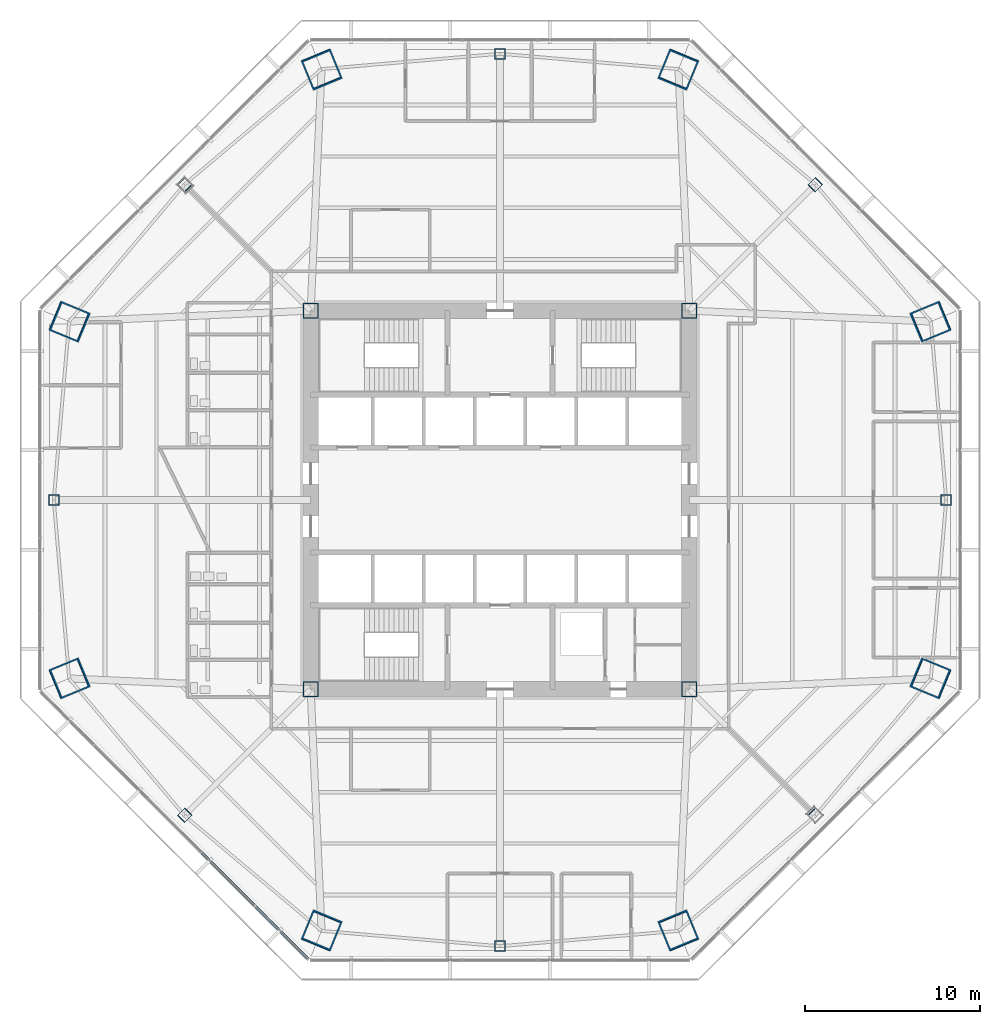
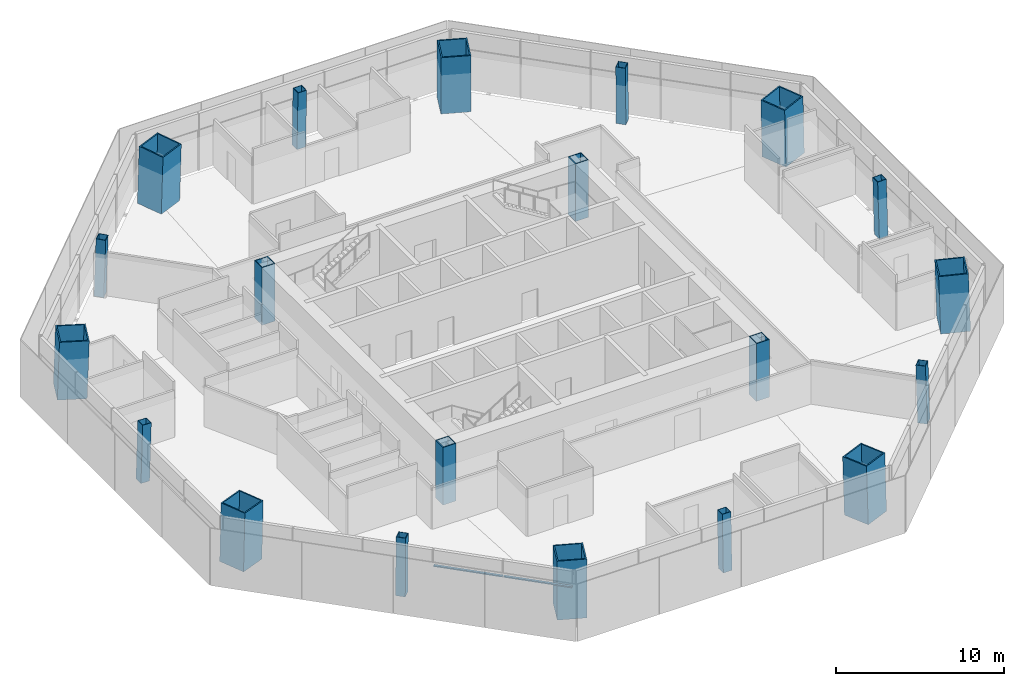
# One storey, part 1 of 15: 20 columns, 2 members, 1 element without a shape of its own.
"""IFC4 building model written with IfcOpenShell, lengths in metres."""

import ifcopenshell
import ifcopenshell.guid

model = None  # the IFC model being written
_history = None  # IfcOwnerHistory: only IFC2X3 demands one
_inside = {}  # id of a spatial element -> (the spatial element, [elements in it])
_under = {}  # id of a project, library or spatial element -> (it, [spatial elements below it])
_declared = {}  # id of a project -> (the project, [libraries it declares])
_typed = {}  # id of a type object -> (the type object, [elements of that type])
_made_of = {}  # id of a material, layer set ... -> (it, [elements and type objects made of it])


def new_model(schema):
    """Start an empty IFC model of exactly this schema.

    Asked for "IFC4X3", IfcOpenShell would pick the latest addendum, in which some entities
    have other attributes; the version numbers below select the first issue.
    IFC2X3 requires an IfcOwnerHistory on every rooted entity: one is made here for all.
    """
    global model, _history
    if schema == "IFC4X3":
        model = ifcopenshell.file(schema_version=(4, 3, 0, 0))
    else:
        model = ifcopenshell.file(schema=schema)
    _inside.clear()
    _under.clear()
    _declared.clear()
    _typed.clear()
    _made_of.clear()
    _history = None
    if model.schema == "IFC2X3":
        org = make("IfcOrganization", Name="unknown")
        user = make(
            "IfcPersonAndOrganization",
            ThePerson=make("IfcPerson", FamilyName="unknown"),
            TheOrganization=org,
        )
        app = make(
            "IfcApplication",
            ApplicationDeveloper=org,
            Version="unknown",
            ApplicationFullName="unknown",
            ApplicationIdentifier="unknown",
        )
        _history = make(
            "IfcOwnerHistory",
            OwningUser=user,
            OwningApplication=app,
            ChangeAction="ADDED",
            CreationDate=0,
        )
    return model


def make(cls, **values):
    """One entity of the class cls with the attributes given. An attribute that is None is left unset."""
    return model.create_entity(
        cls, **{name: value for name, value in values.items() if value is not None}
    )


def rooted(cls, **values):
    """An entity with a GlobalId (a new one), such as an element, a storey or a relation."""
    return make(cls, GlobalId=ifcopenshell.guid.new(), OwnerHistory=_history, **values)


def si_unit(unit_type, name, prefix=None):
    """IfcSIUnit, for example si_unit("LENGTHUNIT", "METRE", prefix="MILLI")."""
    return make("IfcSIUnit", UnitType=unit_type, Prefix=prefix, Name=name)


def assignment(units):
    """IfcUnitAssignment: the units of a project."""
    return None if units is None else make("IfcUnitAssignment", Units=units)


def point(xyz):
    """IfcCartesianPoint."""
    return None if xyz is None else make("IfcCartesianPoint", Coordinates=xyz)


def direction(xyz):
    """IfcDirection."""
    return None if xyz is None else make("IfcDirection", DirectionRatios=xyz)


def frame(location, z_axis=None, x_axis=None):
    """IfcAxis2Placement3D, a coordinate frame: its origin and axes. An axis left out is left unset."""
    return make(
        "IfcAxis2Placement3D",
        Location=point(location),
        Axis=direction(z_axis),
        RefDirection=direction(x_axis),
    )


def frame_2d(location, x_axis=None):
    """IfcAxis2Placement2D, a coordinate frame in the plane: its origin and x axis."""
    return make(
        "IfcAxis2Placement2D", Location=point(location), RefDirection=direction(x_axis)
    )


def origin():
    """The frame at (0, 0, 0) with its axes left unset."""
    return frame((0.0, 0.0, 0.0))


def origin_2d():
    """The frame at (0, 0) in the plane with its x axis left unset."""
    return frame_2d((0.0, 0.0))


def place(relative_to, where):
    """IfcLocalPlacement: puts the frame where relative to a parent placement (None: the world)."""
    return make(
        "IfcLocalPlacement", PlacementRelTo=relative_to, RelativePlacement=where
    )


def context(
    kind, dimensions, precision=None, world=None, true_north=None, identifier=None
):
    """IfcGeometricRepresentationContext, for example the 3D "Model" context."""
    return make(
        "IfcGeometricRepresentationContext",
        ContextIdentifier=identifier,
        ContextType=kind,
        CoordinateSpaceDimension=dimensions,
        Precision=precision,
        WorldCoordinateSystem=world,
        TrueNorth=true_north,
    )


def subcontext(parent, identifier, kind, view, scale=None):
    """IfcGeometricRepresentationSubContext, for example "Body" below "Model"."""
    return make(
        "IfcGeometricRepresentationSubContext",
        ContextIdentifier=identifier,
        ContextType=kind,
        ParentContext=parent,
        TargetScale=scale,
        TargetView=view,
    )


def project(units=None, contexts=None):
    """IfcProject with its units and contexts."""
    return rooted(
        "IfcProject",
        Name="project",
        RepresentationContexts=contexts,
        UnitsInContext=assignment(units),
    )


def spatial(cls, under=None, at=None, **own):
    """A site, building, storey or space (cls), placed at a placement, below another one or the project."""
    s = rooted(cls, ObjectPlacement=at, **own)
    if under is not None:
        _under.setdefault(under.id(), (under, []))[1].append(s)
    return s


def profile(cls, at=None, kind="AREA", **sizes):
    """A parametric profile (cls). Its sizes go by their IFC names, for example OverallWidth=200.0."""
    return make(cls, ProfileType=kind, Position=at, **sizes)


def rectangle(**sizes):
    """IfcRectangleProfileDef."""
    return profile("IfcRectangleProfileDef", **sizes)


def hollow_rectangle(**sizes):
    """IfcRectangleHollowProfileDef."""
    return profile("IfcRectangleHollowProfileDef", **sizes)


def extrude(swept, where, along, depth):
    """IfcExtrudedAreaSolid: the profile swept, set in the frame where, extruded along a direction by depth."""
    return make(
        "IfcExtrudedAreaSolid",
        SweptArea=swept,
        Position=where,
        ExtrudedDirection=direction(along),
        Depth=depth,
    )


def shape(context_of_items, identifier, shape_type, items):
    """IfcShapeRepresentation: the items that make up one representation, for example the "Body"."""
    return make(
        "IfcShapeRepresentation",
        ContextOfItems=context_of_items,
        RepresentationIdentifier=identifier,
        RepresentationType=shape_type,
        Items=items,
    )


def source(mapping_origin, context_of_items, identifier, shape_type, items):
    """IfcRepresentationMap: a shape defined once, which mapped items show again and again."""
    return make(
        "IfcRepresentationMap",
        MappingOrigin=mapping_origin,
        MappedRepresentation=shape(context_of_items, identifier, shape_type, items),
    )


def transform(
    local_origin,
    x_axis=None,
    y_axis=None,
    z_axis=None,
    scale=None,
    scale2=None,
    scale3=None,
    uniform=True,
):
    """IfcCartesianTransformationOperator3D, or its non-uniform kind. x_axis, y_axis, z_axis: its Axis1, 2, 3."""
    if uniform:
        return make(
            "IfcCartesianTransformationOperator3D",
            Axis1=direction(x_axis),
            Axis2=direction(y_axis),
            LocalOrigin=point(local_origin),
            Scale=scale,
            Axis3=direction(z_axis),
        )
    return make(
        "IfcCartesianTransformationOperator3DnonUniform",
        Axis1=direction(x_axis),
        Axis2=direction(y_axis),
        LocalOrigin=point(local_origin),
        Scale=scale,
        Axis3=direction(z_axis),
        Scale2=scale2,
        Scale3=scale3,
    )


def mapped(mapping_source, mapping_target):
    """IfcMappedItem: shows the shape of a source again, moved by a transform."""
    return make(
        "IfcMappedItem", MappingSource=mapping_source, MappingTarget=mapping_target
    )


def material(Name=None, Category=None):
    """IfcMaterial."""
    return make("IfcMaterial", Name=Name, Category=Category)


def material_profile(
    of_material, cross_section, Name=None, Category=None, Priority=None
):
    """IfcMaterialProfile: a cross section and its material."""
    return make(
        "IfcMaterialProfile",
        Name=Name,
        Material=of_material,
        Profile=cross_section,
        Priority=Priority,
        Category=Category,
    )


def profile_set(profiles, Name=None, composite=None):
    """IfcMaterialProfileSet."""
    return make(
        "IfcMaterialProfileSet",
        Name=Name,
        MaterialProfiles=profiles,
        CompositeProfile=composite,
    )


def made_of(thing, what):
    """Note that an element or type object is made of a material, layer set ...; save() writes the relation."""
    if what is not None:
        _made_of.setdefault(what.id(), (what, []))[1].append(thing)
    return thing


def type_object(cls, material=None, **own):
    """A type object (cls), such as IfcWallType, which elements share."""
    return made_of(rooted(cls, **own), material)


def type_shapes(of_type, sources):
    """Give a type object the sources (RepresentationMaps) that its elements show as mapped items."""
    of_type.RepresentationMaps = sources


def element(
    cls,
    number,
    at=None,
    inside=None,
    cuts=None,
    type_object=None,
    material=None,
    context=None,
    identifier="Body",
    shape_type=None,
    held_by="IfcProductDefinitionShape",
    body=None,
    shapes=None,
    **own,
):
    """One element of the class cls, such as IfcWall. Its Tag is "e" and its number.

    at: its placement. inside: the storey or other place that contains it. cuts: it is an
    opening in that element (IfcRelVoidsElement). A single representation is given by context,
    identifier, shape_type and body (its items); several are given by shapes. held_by: the class
    of the entity that holds the representations. save() writes the other relations.
    """
    e = rooted(cls, Tag="e%d" % number, ObjectPlacement=at, **own)
    if body is not None:
        shapes = [shape(context, identifier, shape_type, body)]
    if shapes is not None:
        e.Representation = make(held_by, Representations=shapes)
    if inside is not None:
        _inside.setdefault(inside.id(), (inside, []))[1].append(e)
    if cuts is not None:
        rooted(
            "IfcRelVoidsElement", RelatingBuildingElement=cuts, RelatedOpeningElement=e
        )
    if type_object is not None:
        _typed.setdefault(type_object.id(), (type_object, []))[1].append(e)
    return made_of(e, material)


def aggregate(whole, parts):
    """IfcRelAggregates: a whole, such as a stair, and the parts it consists of."""
    return rooted("IfcRelAggregates", RelatingObject=whole, RelatedObjects=parts)


def save(model, path):
    """Write the relations noted so far, then the file.

    IfcRelAggregates (storeys below a building ...), IfcRelContainedInSpatialStructure (elements
    in a storey), IfcRelDefinesByType, IfcRelAssociatesMaterial and IfcRelDeclares: one each for
    every whole, place, type object, material and project.
    """
    for whole, parts in _under.values():
        aggregate(whole, parts)
    for where, things in _inside.values():
        rooted(
            "IfcRelContainedInSpatialStructure",
            RelatedElements=things,
            RelatingStructure=where,
        )
    for kind, things in _typed.values():
        rooted("IfcRelDefinesByType", RelatedObjects=things, RelatingType=kind)
    for what, things in _made_of.values():
        rooted("IfcRelAssociatesMaterial", RelatedObjects=things, RelatingMaterial=what)
    for by, libraries in _declared.values():
        rooted("IfcRelDeclares", RelatingContext=by, RelatedDefinitions=libraries)
    model.write(path)


model = new_model("IFC4")

# Units and contexts
model_context = context("Model", 3, precision=1e-05, world=origin(), true_north=direction((0.0, 1.0)))
body_context = subcontext(model_context, "Body", "Model", "MODEL_VIEW")
ifc_project = project(units=[si_unit("LENGTHUNIT", "METRE"), si_unit("AREAUNIT", "SQUARE_METRE"), si_unit("VOLUMEUNIT", "CUBIC_METRE"), si_unit("PLANEANGLEUNIT", "RADIAN"), si_unit("MASSUNIT", "GRAM", prefix="KILO")], contexts=[model_context])

# Site, building, storey
site_placement = place(None, origin())
site = spatial("IfcSite", under=ifc_project, at=site_placement, CompositionType="ELEMENT")
building_placement = place(site_placement, origin())
building = spatial("IfcBuilding", under=site, at=building_placement, Name="Mashrafa Tower", CompositionType="ELEMENT")
storey_placement = place(building_placement, frame((0.0, 0.0, 62.39990234375)))
storey = spatial("IfcBuildingStorey", under=building, at=storey_placement, Name="L13", CompositionType="ELEMENT", Elevation=62.39990234375)

# Columns
ifc_material_1 = material(Name="Steel ASTM A572 Gr 50", Category="steel")
ifc_material_profile_1 = material_profile(ifc_material_1, hollow_rectangle(XDim=0.89990234375, YDim=0.89990234375, WallThickness=0.06005859375, at=origin_2d()), Name="BOX900X900X60")
ifc_profile_set_1 = profile_set([ifc_material_profile_1], Name="Steel ASTM A572 Gr 50")
column_type_1 = type_object("IfcColumnType", Name="Core corner column BOX900X900X60", PredefinedType="COLUMN", material=ifc_profile_set_1)
for number, where, z_axis, x_axis, name in (
    (1, (10.800048828125, 10.800048828125, 0.0), (0.0, 0.0, 1.0), (1.0, 0.0, 0.0), "Core corner column CC-NE L13"),
    (2, (-10.800048828125, 10.800048828125, 0.0), (0.0, 0.0, 1.0), (1.0, 0.0, 0.0), "Core corner column CC-NW L13"),
    (3, (-10.800048828125, -10.800048828125, 0.0), (0.0, 0.0, 1.0), (1.0, 0.0, 0.0), "Core corner column CC-SW L13"),
    (4, (10.800048828125, -10.800048828125, 0.0), (0.0, 0.0, 1.0), (1.0, 0.0, 0.0), "Core corner column CC-SE L13"),
):
    element("IfcColumn", number, at=place(storey_placement, frame(where, z_axis=z_axis, x_axis=x_axis)), inside=storey, type_object=column_type_1, Name=name, PredefinedType="COLUMN", context=body_context, shape_type="SweptSolid", body=[
        extrude(hollow_rectangle(XDim=0.89990234375, YDim=0.89990234375, WallThickness=0.06005859375, at=origin_2d()), origin(), (0.0, 0.0, 1.0), 4.2001953125),
    ])
ifc_material_2 = material(Name="Steel ASTM A572 Gr 50", Category="steel")
ifc_material_profile_2 = material_profile(ifc_material_2, hollow_rectangle(XDim=1.800048828125, YDim=1.800048828125, WallThickness=0.0849609375, at=origin_2d()), Name="BOX1800X1800X85")
ifc_profile_set_2 = profile_set([ifc_material_profile_2], Name="Steel ASTM A572 Gr 50")
column_type_2 = type_object("IfcColumnType", Name="Mega column CFST BOX1800X1800X85", PredefinedType="COLUMN", material=ifc_profile_set_2)
for number, where, z_axis, x_axis, name in (
    (5, (24.5712890625, 10.177734375, 0.0), (-0.028294106277, -0.011677854952, 0.999531425846), (0.38151339852, -0.924363308851, 0.0), "Mega column MC1 L13"),
    (6, (10.177734375, 24.5712890625, 0.0), (-0.011677854952, -0.028294106277, 0.999531425846), (0.924363308851, -0.38151339852, 0.0), "Mega column MC2 L13"),
    (7, (-10.177734375, 24.5712890625, 0.0), (0.011677854952, -0.028294106277, 0.999531425846), (0.924363308851, 0.38151339852, 0.0), "Mega column MC3 L13"),
    (8, (-24.5712890625, 10.177734375, 0.0), (0.028294106277, -0.011677854952, 0.999531425846), (0.38151339852, 0.924363308851, 0.0), "Mega column MC4 L13"),
    (9, (-24.5712890625, -10.177734375, 0.0), (0.028294106277, 0.011677854952, 0.999531425846), (-0.38151339852, 0.924363308851, 0.0), "Mega column MC5 L13"),
    (10, (-10.177734375, -24.5712890625, 0.0), (0.011677854952, 0.028294106277, 0.999531425846), (-0.924363308851, 0.38151339852, 0.0), "Mega column MC6 L13"),
    (11, (10.177734375, -24.5712890625, 0.0), (-0.011677854952, 0.028294106277, 0.999531425846), (-0.924363308851, -0.38151339852, 0.0), "Mega column MC7 L13"),
    (12, (24.5712890625, -10.177734375, 0.0), (-0.028294106277, 0.011677854952, 0.999531425846), (-0.38151339852, -0.924363308851, 0.0), "Mega column MC8 L13"),
):
    element("IfcColumn", number, at=place(storey_placement, frame(where, z_axis=z_axis, x_axis=x_axis)), inside=storey, type_object=column_type_2, Name=name, PredefinedType="COLUMN", context=body_context, shape_type="SweptSolid", body=[
        extrude(hollow_rectangle(XDim=1.800048828125, YDim=1.800048828125, WallThickness=0.0849609375, at=origin_2d()), origin(), (0.0, 0.0, 1.0), 4.2021484375),
    ])
ifc_material_3 = material(Name="Steel ASTM A572 Gr 50", Category="steel")
ifc_material_profile_3 = material_profile(ifc_material_3, hollow_rectangle(XDim=0.60009765625, YDim=0.60009765625, WallThickness=0.031982421875, at=origin_2d()), Name="BOX600X600X32")
ifc_profile_set_3 = profile_set([ifc_material_profile_3], Name="Steel ASTM A572 Gr 50")
column_type_3 = type_object("IfcColumnType", Name="Secondary column BOX600X600X32", PredefinedType="COLUMN", material=ifc_profile_set_3)
for number, where, z_axis, x_axis, name in (
    (13, (25.449462890625, 0.0, 0.0), (-0.028237979375, 0.0, 0.999601228751), (0.0, -1.0, 0.0), "Secondary column SC1 L13"),
    (14, (17.99560546875, 17.99560546875, 0.0), (-0.019987360289, -0.019987360289, 0.999600425599), (0.707106781187, -0.707106781187, 0.0), "Secondary column SC2 L13"),
    (15, (0.0, 25.449462890625, 0.0), (0.0, -0.028237979375, 0.999601228751), (1.0, 0.0, 0.0), "Secondary column SC3 L13"),
    (16, (-17.99560546875, 17.99560546875, 0.0), (0.019987360289, -0.019987360289, 0.999600425599), (0.707106781187, 0.707106781187, 0.0), "Secondary column SC4 L13"),
    (17, (-25.449462890625, 0.0, 0.0), (0.028237979375, 0.0, 0.999601228751), (0.0, 1.0, 0.0), "Secondary column SC5 L13"),
    (18, (-17.99560546875, -17.99560546875, 0.0), (0.019987360289, 0.019987360289, 0.999600425599), (-0.707106781187, 0.707106781187, 0.0), "Secondary column SC6 L13"),
    (19, (0.0, -25.449462890625, 0.0), (0.0, 0.028237979375, 0.999601228751), (-1.0, 0.0, 0.0), "Secondary column SC7 L13"),
    (20, (17.99560546875, -17.99560546875, 0.0), (-0.019987360289, 0.019987360289, 0.999600425599), (-0.707106781187, -0.707106781187, 0.0), "Secondary column SC8 L13"),
):
    element("IfcColumn", number, at=place(storey_placement, frame(where, z_axis=z_axis, x_axis=x_axis)), inside=storey, type_object=column_type_3, Name=name, PredefinedType="COLUMN", context=body_context, shape_type="SweptSolid", body=[
        extrude(hollow_rectangle(XDim=0.60009765625, YDim=0.60009765625, WallThickness=0.031982421875, at=origin_2d()), origin(), (0.0, 0.0, 1.0), 4.201904296875),
    ])

# Curtain wall, members
ifc_material_4 = material(Name="Unitised aluminium curtain wall", Category="aluminium")
curtain_wall_type = type_object("IfcCurtainWallType", Name="Office curtain wall, zone 1 CW-A 200 deep", PredefinedType="NOTDEFINED", material=ifc_material_4)
curtain_wall_placement = place(storey_placement, origin())
curtain_wall = element("IfcCurtainWall", 21, at=curtain_wall_placement, inside=storey, type_object=curtain_wall_type, Name="Office curtain wall, zone 1 L13 south-west", PredefinedType="NOTDEFINED")
ifc_material_5 = material(Name="Extruded aluminium transom", Category="aluminium")
ifc_material_profile_4 = material_profile(ifc_material_5, rectangle(XDim=0.159912109375, YDim=0.080078125, at=origin_2d()), Name="Transom 80x160")
ifc_profile_set_4 = profile_set([ifc_material_profile_4], Name="Extruded aluminium transom")
member_type = type_object("IfcMemberType", Name="Transom CW-A 80 x 160", PredefinedType="MULLION", material=ifc_profile_set_4)
shared_shape_1 = source(origin(), body_context, "Body", "SweptSolid", [
    extrude(rectangle(XDim=0.159912109375, YDim=0.080078125, at=origin_2d()), origin(), (0.0, 0.0, 1.0), 4.263671875),
])
member_1_placement = place(storey_placement, frame((-17.0078125, -20.114501953125, 3.0), z_axis=(0.707106781187, -0.707106781187, 0.0), x_axis=(0.707106781187, 0.707106781187, 0.0)))
member_1 = element("IfcMember", 22, at=member_1_placement, type_object=member_type, Name="CW-A transom 4", PredefinedType="MULLION", context=body_context, shape_type="MappedRepresentation", body=[
    mapped(shared_shape_1, transform((0.0, 0.0, 0.0))),
])
shared_shape_2 = source(origin(), body_context, "Body", "SweptSolid", [
    extrude(rectangle(XDim=0.159912109375, YDim=0.080078125, at=origin_2d()), origin(), (0.0, 0.0, 1.0), 4.23095703125),
])
type_shapes(member_type, [shared_shape_1, shared_shape_2])
member_2_placement = place(storey_placement, frame((-13.947021484375, -23.17529296875, 3.0), z_axis=(0.707077929695, -0.707135631501, 0.0), x_axis=(0.707135631501, 0.707077929695, 0.0)))
member_2 = element("IfcMember", 23, at=member_2_placement, type_object=member_type, Name="CW-A transom 5", PredefinedType="MULLION", context=body_context, shape_type="MappedRepresentation", body=[
    mapped(shared_shape_2, transform((0.0, 0.0, 0.0))),
])
aggregate(curtain_wall, [member_1, member_2])

save(model, "model.ifc")
